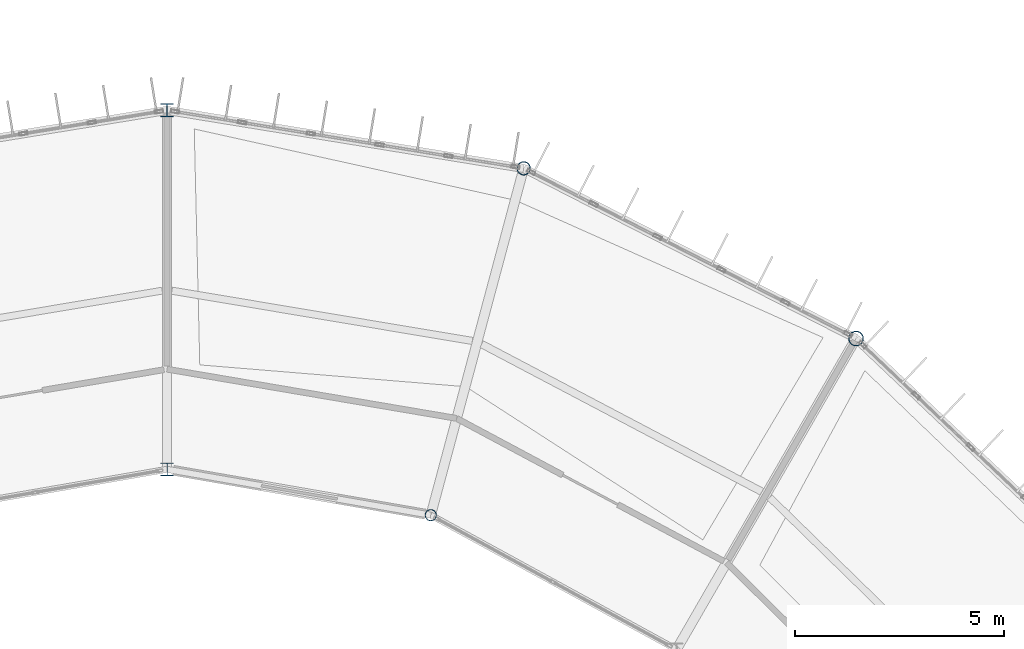
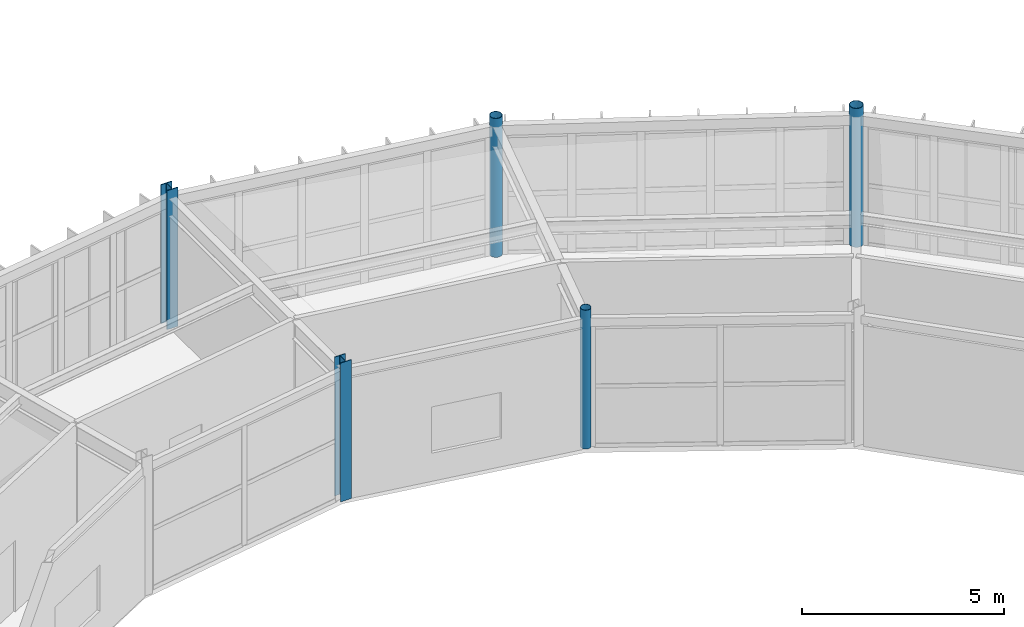
# One storey, part 16 of 148: 5 columns.
"""IFC4 building model written with IfcOpenShell, lengths in metres."""

from ifc_helpers import new_model, si_unit, direction, frame, origin, origin_2d, place, context, subcontext, project, spatial, hollow_circle, i_section, extrude, material, material_profile, profile_set, type_object, element, save


model = new_model("IFC4")

# Units and contexts
model_context = context("Model", 3, precision=1e-05, world=origin(), true_north=direction((0.0, 1.0)))
body_context = subcontext(model_context, "Body", "Model", "MODEL_VIEW")
ifc_project = project(units=[si_unit("LENGTHUNIT", "METRE"), si_unit("AREAUNIT", "SQUARE_METRE"), si_unit("VOLUMEUNIT", "CUBIC_METRE"), si_unit("PLANEANGLEUNIT", "RADIAN"), si_unit("MASSUNIT", "GRAM", prefix="KILO")], contexts=[model_context])

# Site, building, storey
site_placement = place(None, origin())
site = spatial("IfcSite", under=ifc_project, at=site_placement, CompositionType="ELEMENT")
building_placement = place(site_placement, origin())
building = spatial("IfcBuilding", under=site, at=building_placement, Name="Karori Crest Natural Sciences Institute", CompositionType="ELEMENT")
storey_placement = place(building_placement, frame((0.0, 0.0, 4.89990234375)))
storey = spatial("IfcBuildingStorey", under=building, at=storey_placement, Name="L01", CompositionType="ELEMENT", Elevation=4.89990234375)

# Columns
ifc_material_1 = material(Name="Structural steel AS/NZS 3679.1 Grade 350", Category="steel")
ifc_material_profile_1 = material_profile(ifc_material_1, i_section(OverallWidth=0.31103515625, OverallDepth=0.326904296875, WebThickness=0.015625, FlangeThickness=0.02490234375, FilletRadius=0.01708984375, at=origin_2d()), Name="310UC158")
ifc_profile_set_1 = profile_set([ifc_material_profile_1], Name="Structural steel AS/NZS 3679.1 Grade 350")
column_type_1 = type_object("IfcColumnType", Name="CT-04", PredefinedType="COLUMN", material=ifc_profile_set_1)
column_1_placement = place(storey_placement, frame((66.39990234375, 90.699951171875, 0.0), z_axis=(0.0, 0.0, 1.0), x_axis=(1.0, 0.0, 0.0)))
element("IfcColumn", 1, at=column_1_placement, inside=storey, type_object=column_type_1, Name="Column C-0113", PredefinedType="COLUMN", context=body_context, shape_type="SweptSolid", body=[
    extrude(i_section(OverallWidth=0.31103515625, OverallDepth=0.326904296875, WebThickness=0.015625, FlangeThickness=0.02490234375, FilletRadius=0.01708984375, at=origin_2d()), origin(), (0.0, 0.0, 1.0), 4.2001953125),
])
ifc_material_profile_2 = material_profile(ifc_material_1, i_section(OverallWidth=0.306884765625, OverallDepth=0.31494140625, WebThickness=0.011962890625, FlangeThickness=0.018798828125, FilletRadius=0.01708984375, at=origin_2d()), Name="310UC118")
ifc_profile_set_2 = profile_set([ifc_material_profile_2], Name="Structural steel AS/NZS 3679.1 Grade 350")
column_type_2 = type_object("IfcColumnType", Name="CT-05", PredefinedType="COLUMN", material=ifc_profile_set_2)
column_2_placement = place(storey_placement, frame((66.39990234375, 82.10009765625, 0.0), z_axis=(0.0, 0.0, 1.0), x_axis=(1.0, 0.0, 0.0)))
element("IfcColumn", 2, at=column_2_placement, inside=storey, type_object=column_type_2, Name="Column C-0114", PredefinedType="COLUMN", context=body_context, shape_type="SweptSolid", body=[
    extrude(i_section(OverallWidth=0.306884765625, OverallDepth=0.31494140625, WebThickness=0.011962890625, FlangeThickness=0.018798828125, FilletRadius=0.01708984375, at=origin_2d()), origin(), (0.0, 0.0, 1.0), 4.2001953125),
])
ifc_material_2 = material(Name="Hollow structural steel AS/NZS 1163 Grade C350", Category="steel")
ifc_material_profile_3 = material_profile(ifc_material_2, hollow_circle(Radius=0.177734375, WallThickness=0.0126953125, at=origin_2d()), Name="CHS355.6x12.7")
ifc_profile_set_3 = profile_set([ifc_material_profile_3], Name="Hollow structural steel AS/NZS 1163 Grade C350")
column_type_3 = type_object("IfcColumnType", Name="CT-14", PredefinedType="COLUMN", material=ifc_profile_set_3)
column_3_placement = place(storey_placement, frame((82.89990234375, 85.23388671875, 0.0), z_axis=(0.0, 0.0, 1.0), x_axis=(1.0, 0.0, 0.0)))
element("IfcColumn", 3, at=column_3_placement, inside=storey, type_object=column_type_3, Name="Column C-0077", PredefinedType="COLUMN", context=body_context, shape_type="SweptSolid", body=[
    extrude(hollow_circle(Radius=0.177734375, WallThickness=0.0126953125, at=origin_2d()), origin(), (0.0, 0.0, 1.0), 4.2001953125),
])
ifc_material_profile_4 = material_profile(ifc_material_2, hollow_circle(Radius=0.161865234375, WallThickness=0.0126953125, at=origin_2d()), Name="CHS323.9x12.7")
ifc_profile_set_4 = profile_set([ifc_material_profile_4], Name="Hollow structural steel AS/NZS 1163 Grade C350")
column_type_4 = type_object("IfcColumnType", Name="CT-15", PredefinedType="COLUMN", material=ifc_profile_set_4)
column_4_placement = place(storey_placement, frame((74.94091796875, 89.309814453125, 0.0), z_axis=(0.0, 0.0, 1.0), x_axis=(1.0, 0.0, 0.0)))
element("IfcColumn", 4, at=column_4_placement, inside=storey, type_object=column_type_4, Name="Column C-0095", PredefinedType="COLUMN", context=body_context, shape_type="SweptSolid", body=[
    extrude(hollow_circle(Radius=0.161865234375, WallThickness=0.0126953125, at=origin_2d()), origin(), (0.0, 0.0, 1.0), 4.2001953125),
])
ifc_material_profile_5 = material_profile(ifc_material_2, hollow_circle(Radius=0.136474609375, WallThickness=0.00927734375, at=origin_2d()), Name="CHS273.0x9.3")
ifc_profile_set_5 = profile_set([ifc_material_profile_5], Name="Hollow structural steel AS/NZS 1163 Grade C350")
column_type_5 = type_object("IfcColumnType", Name="CT-16", PredefinedType="COLUMN", material=ifc_profile_set_5)
column_5_placement = place(storey_placement, frame((72.715087890625, 81.002685546875, 0.0), z_axis=(0.0, 0.0, 1.0), x_axis=(1.0, 0.0, 0.0)))
element("IfcColumn", 5, at=column_5_placement, inside=storey, type_object=column_type_5, Name="Column C-0096", PredefinedType="COLUMN", context=body_context, shape_type="SweptSolid", body=[
    extrude(hollow_circle(Radius=0.136474609375, WallThickness=0.00927734375, at=origin_2d()), origin(), (0.0, 0.0, 1.0), 4.2001953125),
])

save(model, "model.ifc")
